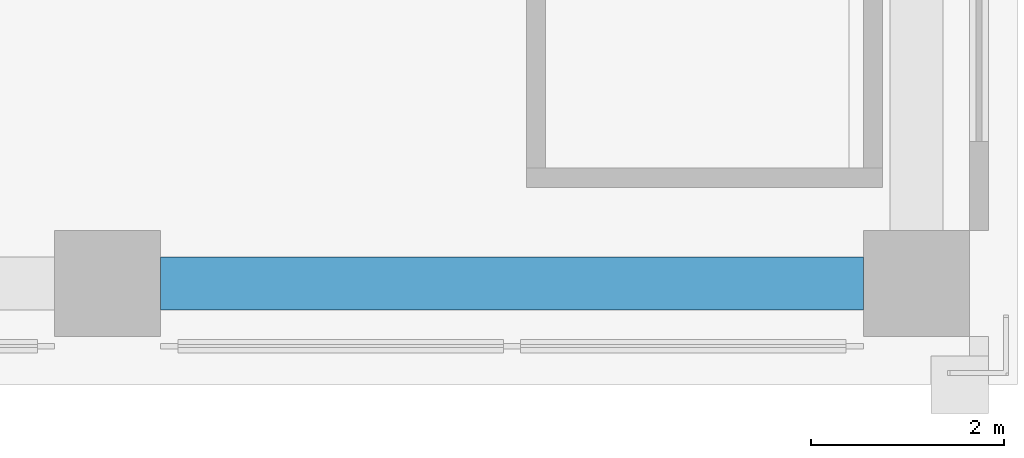
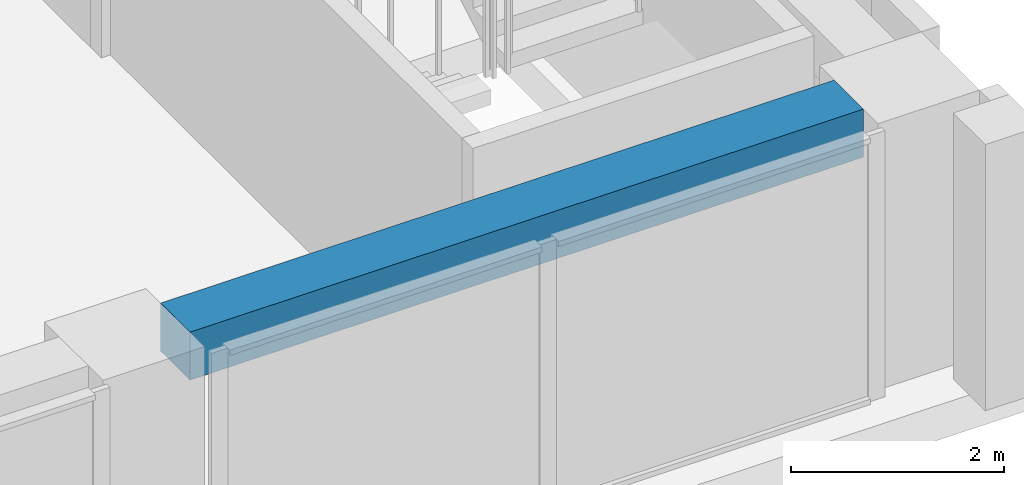
# One storey, part 3 of 16: 1 beam.
"""IFC4 building model written with IfcOpenShell, lengths in metres."""

from ifc_helpers import new_model, si_unit, direction, frame, origin, origin_2d, place, context, subcontext, project, spatial, rectangle, extrude, material, material_profile, profile_set, type_object, element, save


model = new_model("IFC4")

# Units and contexts
model_context = context("Model", 3, precision=1e-05, world=origin(), true_north=direction((0.0, 1.0)))
body_context = subcontext(model_context, "Body", "Model", "MODEL_VIEW")
ifc_project = project(units=[si_unit("LENGTHUNIT", "METRE"), si_unit("AREAUNIT", "SQUARE_METRE"), si_unit("VOLUMEUNIT", "CUBIC_METRE"), si_unit("PLANEANGLEUNIT", "RADIAN"), si_unit("MASSUNIT", "GRAM", prefix="KILO")], contexts=[model_context])

# Site, building, storey
site_placement = place(None, origin())
site = spatial("IfcSite", under=ifc_project, at=site_placement, CompositionType="ELEMENT")
building_placement = place(site_placement, origin())
building = spatial("IfcBuilding", under=site, at=building_placement, Name="Vermilion Ogive Tower", CompositionType="ELEMENT")
storey_placement = place(building_placement, frame((0.0, 0.0, 146.89990234375)))
storey = spatial("IfcBuildingStorey", under=building, at=storey_placement, Name="L37", CompositionType="ELEMENT", Elevation=146.89990234375)

# Beam
ifc_material = material(Name="Concrete B45", Category="concrete")
ifc_material_profile = material_profile(ifc_material, rectangle(XDim=0.550048828125, YDim=0.550048828125, at=origin_2d()), Name="550 x 550")
ifc_profile_set = profile_set([ifc_material_profile], Name="Concrete B45")
beam_type = type_object("IfcBeamType", Name="Edge beam 550 x 550 B45", PredefinedType="BEAM", material=ifc_profile_set)
beam_placement = place(storey_placement, frame((4.75, -21.0, 2.775146484375), z_axis=(1.0, 0.0, 0.0), x_axis=(0.0, 1.0, 0.0)))
element("IfcBeam", 1, at=beam_placement, inside=storey, type_object=beam_type, Name="L37-EB-3", PredefinedType="BEAM", context=body_context, shape_type="SweptSolid", body=[
    extrude(rectangle(XDim=0.550048828125, YDim=0.550048828125, at=origin_2d()), origin(), (0.0, 0.0, 1.0), 7.300048828125),
])

save(model, "model.ifc")
